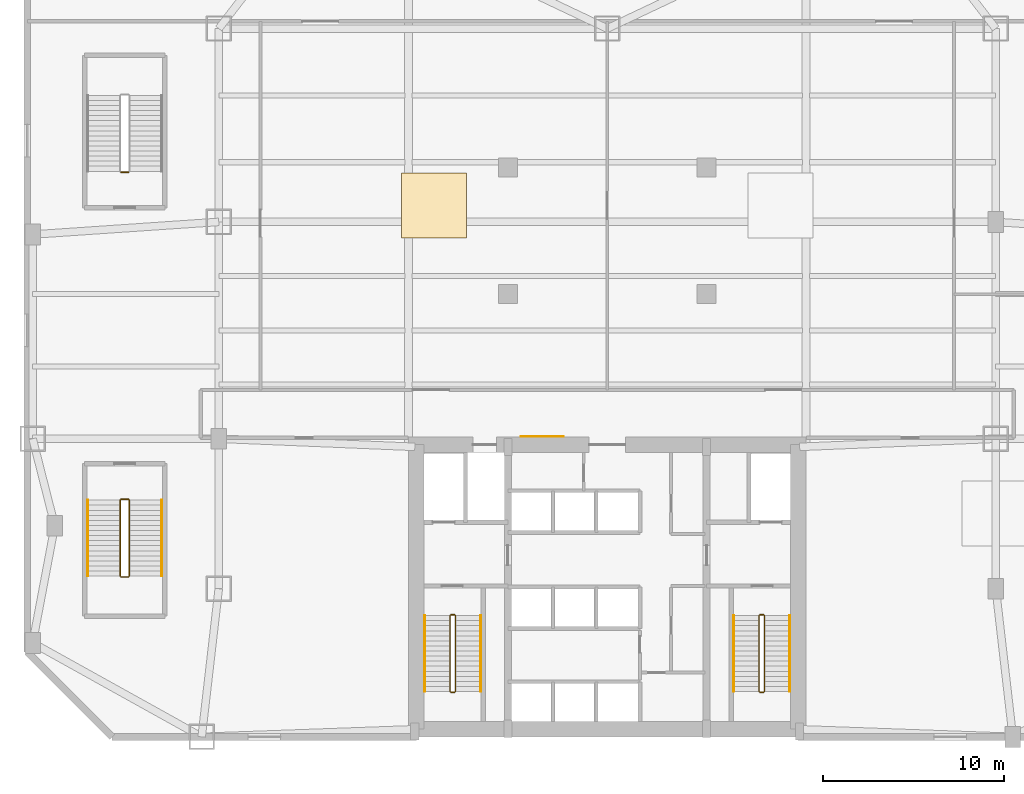
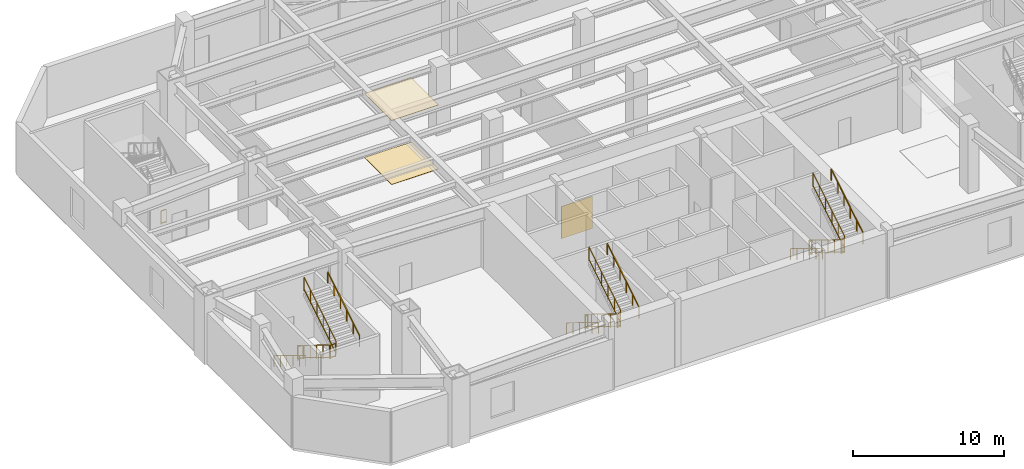
# One storey, part 7 of 9: 19 railings, 3 coverings.
"""IFC4 building model written with IfcOpenShell, lengths in metres."""

from ifc_helpers import new_model, si_unit, direction, frame, origin, origin_2d, place, context, subcontext, project, spatial, rectangle, extrude, source, transform, mapped, material, layer, layer_set, type_object, type_shapes, element, save


model = new_model("IFC4")

# Units and contexts
model_context = context("Model", 3, precision=1e-05, world=origin(), true_north=direction((0.0, 1.0)))
body_context = subcontext(model_context, "Body", "Model", "MODEL_VIEW")
ifc_project = project(units=[si_unit("LENGTHUNIT", "METRE"), si_unit("AREAUNIT", "SQUARE_METRE"), si_unit("VOLUMEUNIT", "CUBIC_METRE"), si_unit("PLANEANGLEUNIT", "RADIAN"), si_unit("MASSUNIT", "GRAM", prefix="KILO")], contexts=[model_context])

# Site, building, storey
site_placement = place(None, origin())
site = spatial("IfcSite", under=ifc_project, at=site_placement, CompositionType="ELEMENT")
building_placement = place(site_placement, origin())
building = spatial("IfcBuilding", under=site, at=building_placement, Name="Varnakhor Terracotta Tower", CompositionType="ELEMENT")
storey_placement = place(building_placement, frame((0.0, 0.0, 11.0)))
storey = spatial("IfcBuildingStorey", under=building, at=storey_placement, Name="L02", CompositionType="ELEMENT", Elevation=11.0)

# Railings
ifc_material_1 = material(Name="Painted Steel Stairwell Guardrail", Category="steel")
railing_type_1 = type_object("IfcRailingType", Name="RLG-STAIR-GUARD-1120", PredefinedType="GUARDRAIL", material=ifc_material_1)
railing_1_placement = place(storey_placement, frame((-8.699951171875, 6.7099609375, 0.171875)))
element("IfcRailing", 1, at=railing_1_placement, inside=storey, type_object=railing_type_1, Name="L02 ST-1 stair guard 1", PredefinedType="GUARDRAIL", context=body_context, shape_type="SweptSolid", body=[
    extrude(rectangle(XDim=0.048095703125, YDim=0.048095703125, at=origin_2d()), frame((0.0, 0.0, 1.09619140625), z_axis=(0.0, -0.852242915053, 0.523146264196), x_axis=(1.0, 0.0, 0.0)), (0.0, 0.0, 1.0), 4.92822265625),
    extrude(rectangle(XDim=0.048095703125, YDim=0.048095703125, at=origin_2d()), frame((0.0, 0.0, 0.10009765625), z_axis=(0.0, -0.852242915053, 0.523146264196), x_axis=(1.0, 0.0, 0.0)), (0.0, 0.0, 1.0), 4.92822265625),
    extrude(rectangle(XDim=0.0419921875, YDim=0.0419921875, at=origin_2d()), origin(), (0.0, 0.0, 1.0), 1.072021484375),
    extrude(rectangle(XDim=0.0419921875, YDim=0.0419921875, at=origin_2d()), frame((0.0, -0.840087890625, 0.515625)), (0.0, 0.0, 1.0), 1.072021484375),
    extrude(rectangle(XDim=0.0419921875, YDim=0.0419921875, at=origin_2d()), frame((0.0, -1.679931640625, 1.03125)), (0.0, 0.0, 1.0), 1.072021484375),
    extrude(rectangle(XDim=0.0419921875, YDim=0.0419921875, at=origin_2d()), frame((0.0, -2.52001953125, 1.546875)), (0.0, 0.0, 1.0), 1.072021484375),
    extrude(rectangle(XDim=0.0419921875, YDim=0.0419921875, at=origin_2d()), frame((0.0, -3.35986328125, 2.0625)), (0.0, 0.0, 1.0), 1.072021484375),
    extrude(rectangle(XDim=0.0419921875, YDim=0.0419921875, at=origin_2d()), frame((0.0, -4.199951171875, 2.578125)), (0.0, 0.0, 1.0), 1.072021484375),
])
railing_2_placement = place(storey_placement, frame((-8.64990234375, 2.4599609375, 2.75)))
element("IfcRailing", 2, at=railing_2_placement, inside=storey, type_object=railing_type_1, Name="L02 ST-1 stair guard 2", PredefinedType="GUARDRAIL", context=body_context, shape_type="SweptSolid", body=[
    extrude(rectangle(XDim=0.048095703125, YDim=0.048095703125, at=origin_2d()), frame((0.0, 0.0, 1.09619140625), z_axis=(1.0, 0.0, 0.0), x_axis=(0.0, 1.0, 0.0)), (0.0, 0.0, 1.0), 0.199951171875),
    extrude(rectangle(XDim=0.048095703125, YDim=0.048095703125, at=origin_2d()), frame((0.0, 0.0, 0.10009765625), z_axis=(1.0, 0.0, 0.0), x_axis=(0.0, 1.0, 0.0)), (0.0, 0.0, 1.0), 0.199951171875),
    extrude(rectangle(XDim=0.0419921875, YDim=0.0419921875, at=origin_2d()), origin(), (0.0, 0.0, 1.0), 1.072021484375),
    extrude(rectangle(XDim=0.0419921875, YDim=0.0419921875, at=origin_2d()), frame((0.199951171875, 0.0, 0.0)), (0.0, 0.0, 1.0), 1.072021484375),
])
railing_3_placement = place(storey_placement, frame((-8.39990234375, 2.510009765625, 2.921875)))
element("IfcRailing", 3, at=railing_3_placement, inside=storey, type_object=railing_type_1, Name="L02 ST-1 stair guard 3", PredefinedType="GUARDRAIL", context=body_context, shape_type="SweptSolid", body=[
    extrude(rectangle(XDim=0.048095703125, YDim=0.048095703125, at=origin_2d()), frame((0.0, 0.0, 1.09619140625), z_axis=(0.0, 0.852242915053, 0.523146264196), x_axis=(-1.0, 0.0, 0.0)), (0.0, 0.0, 1.0), 4.92822265625),
    extrude(rectangle(XDim=0.048095703125, YDim=0.048095703125, at=origin_2d()), frame((0.0, 0.0, 0.10009765625), z_axis=(0.0, 0.852242915053, 0.523146264196), x_axis=(-1.0, 0.0, 0.0)), (0.0, 0.0, 1.0), 4.92822265625),
    extrude(rectangle(XDim=0.0419921875, YDim=0.0419921875, at=origin_2d()), origin(), (0.0, 0.0, 1.0), 1.072021484375),
    extrude(rectangle(XDim=0.0419921875, YDim=0.0419921875, at=origin_2d()), frame((0.0, 0.840087890625, 0.515625)), (0.0, 0.0, 1.0), 1.072021484375),
    extrude(rectangle(XDim=0.0419921875, YDim=0.0419921875, at=origin_2d()), frame((0.0, 1.679931640625, 1.03125)), (0.0, 0.0, 1.0), 1.072021484375),
    extrude(rectangle(XDim=0.0419921875, YDim=0.0419921875, at=origin_2d()), frame((0.0, 2.52001953125, 1.546875)), (0.0, 0.0, 1.0), 1.072021484375),
    extrude(rectangle(XDim=0.0419921875, YDim=0.0419921875, at=origin_2d()), frame((0.0, 3.35986328125, 2.0625)), (0.0, 0.0, 1.0), 1.072021484375),
    extrude(rectangle(XDim=0.0419921875, YDim=0.0419921875, at=origin_2d()), frame((0.0, 4.199951171875, 2.578125)), (0.0, 0.0, 1.0), 1.072021484375),
])
railing_4_placement = place(storey_placement, frame((-8.64990234375, 6.760009765625, 0.0)))
element("IfcRailing", 4, at=railing_4_placement, inside=storey, type_object=railing_type_1, Name="L02 ST-1 stair guard 4", PredefinedType="GUARDRAIL", context=body_context, shape_type="SweptSolid", body=[
    extrude(rectangle(XDim=0.048095703125, YDim=0.048095703125, at=origin_2d()), frame((0.0, 0.0, 1.09619140625), z_axis=(1.0, 0.0, 0.0), x_axis=(0.0, 1.0, 0.0)), (0.0, 0.0, 1.0), 0.199951171875),
    extrude(rectangle(XDim=0.048095703125, YDim=0.048095703125, at=origin_2d()), frame((0.0, 0.0, 0.10009765625), z_axis=(1.0, 0.0, 0.0), x_axis=(0.0, 1.0, 0.0)), (0.0, 0.0, 1.0), 0.199951171875),
    extrude(rectangle(XDim=0.0419921875, YDim=0.0419921875, at=origin_2d()), origin(), (0.0, 0.0, 1.0), 1.072021484375),
    extrude(rectangle(XDim=0.0419921875, YDim=0.0419921875, at=origin_2d()), frame((0.199951171875, 0.0, 0.0)), (0.0, 0.0, 1.0), 1.072021484375),
])
railing_5_placement = place(storey_placement, frame((8.39990234375, 6.7099609375, 0.171875)))
element("IfcRailing", 5, at=railing_5_placement, inside=storey, type_object=railing_type_1, Name="L02 ST-2 stair guard 1", PredefinedType="GUARDRAIL", context=body_context, shape_type="SweptSolid", body=[
    extrude(rectangle(XDim=0.048095703125, YDim=0.048095703125, at=origin_2d()), frame((0.0, 0.0, 1.09619140625), z_axis=(0.0, -0.852242915053, 0.523146264196), x_axis=(1.0, 0.0, 0.0)), (0.0, 0.0, 1.0), 4.92822265625),
    extrude(rectangle(XDim=0.048095703125, YDim=0.048095703125, at=origin_2d()), frame((0.0, 0.0, 0.10009765625), z_axis=(0.0, -0.852242915053, 0.523146264196), x_axis=(1.0, 0.0, 0.0)), (0.0, 0.0, 1.0), 4.92822265625),
    extrude(rectangle(XDim=0.0419921875, YDim=0.0419921875, at=origin_2d()), origin(), (0.0, 0.0, 1.0), 1.072021484375),
    extrude(rectangle(XDim=0.0419921875, YDim=0.0419921875, at=origin_2d()), frame((0.0, -0.840087890625, 0.515625)), (0.0, 0.0, 1.0), 1.072021484375),
    extrude(rectangle(XDim=0.0419921875, YDim=0.0419921875, at=origin_2d()), frame((0.0, -1.679931640625, 1.03125)), (0.0, 0.0, 1.0), 1.072021484375),
    extrude(rectangle(XDim=0.0419921875, YDim=0.0419921875, at=origin_2d()), frame((0.0, -2.52001953125, 1.546875)), (0.0, 0.0, 1.0), 1.072021484375),
    extrude(rectangle(XDim=0.0419921875, YDim=0.0419921875, at=origin_2d()), frame((0.0, -3.35986328125, 2.0625)), (0.0, 0.0, 1.0), 1.072021484375),
    extrude(rectangle(XDim=0.0419921875, YDim=0.0419921875, at=origin_2d()), frame((0.0, -4.199951171875, 2.578125)), (0.0, 0.0, 1.0), 1.072021484375),
])
railing_6_placement = place(storey_placement, frame((8.449951171875, 2.4599609375, 2.75)))
element("IfcRailing", 6, at=railing_6_placement, inside=storey, type_object=railing_type_1, Name="L02 ST-2 stair guard 2", PredefinedType="GUARDRAIL", context=body_context, shape_type="SweptSolid", body=[
    extrude(rectangle(XDim=0.048095703125, YDim=0.048095703125, at=origin_2d()), frame((0.0, 0.0, 1.09619140625), z_axis=(1.0, 0.0, 0.0), x_axis=(0.0, 1.0, 0.0)), (0.0, 0.0, 1.0), 0.199951171875),
    extrude(rectangle(XDim=0.048095703125, YDim=0.048095703125, at=origin_2d()), frame((0.0, 0.0, 0.10009765625), z_axis=(1.0, 0.0, 0.0), x_axis=(0.0, 1.0, 0.0)), (0.0, 0.0, 1.0), 0.199951171875),
    extrude(rectangle(XDim=0.0419921875, YDim=0.0419921875, at=origin_2d()), origin(), (0.0, 0.0, 1.0), 1.072021484375),
    extrude(rectangle(XDim=0.0419921875, YDim=0.0419921875, at=origin_2d()), frame((0.199951171875, 0.0, 0.0)), (0.0, 0.0, 1.0), 1.072021484375),
])
railing_7_placement = place(storey_placement, frame((8.699951171875, 2.510009765625, 2.921875)))
element("IfcRailing", 7, at=railing_7_placement, inside=storey, type_object=railing_type_1, Name="L02 ST-2 stair guard 3", PredefinedType="GUARDRAIL", context=body_context, shape_type="SweptSolid", body=[
    extrude(rectangle(XDim=0.048095703125, YDim=0.048095703125, at=origin_2d()), frame((0.0, 0.0, 1.09619140625), z_axis=(0.0, 0.852242915053, 0.523146264196), x_axis=(-1.0, 0.0, 0.0)), (0.0, 0.0, 1.0), 4.92822265625),
    extrude(rectangle(XDim=0.048095703125, YDim=0.048095703125, at=origin_2d()), frame((0.0, 0.0, 0.10009765625), z_axis=(0.0, 0.852242915053, 0.523146264196), x_axis=(-1.0, 0.0, 0.0)), (0.0, 0.0, 1.0), 4.92822265625),
    extrude(rectangle(XDim=0.0419921875, YDim=0.0419921875, at=origin_2d()), origin(), (0.0, 0.0, 1.0), 1.072021484375),
    extrude(rectangle(XDim=0.0419921875, YDim=0.0419921875, at=origin_2d()), frame((0.0, 0.840087890625, 0.515625)), (0.0, 0.0, 1.0), 1.072021484375),
    extrude(rectangle(XDim=0.0419921875, YDim=0.0419921875, at=origin_2d()), frame((0.0, 1.679931640625, 1.03125)), (0.0, 0.0, 1.0), 1.072021484375),
    extrude(rectangle(XDim=0.0419921875, YDim=0.0419921875, at=origin_2d()), frame((0.0, 2.52001953125, 1.546875)), (0.0, 0.0, 1.0), 1.072021484375),
    extrude(rectangle(XDim=0.0419921875, YDim=0.0419921875, at=origin_2d()), frame((0.0, 3.35986328125, 2.0625)), (0.0, 0.0, 1.0), 1.072021484375),
    extrude(rectangle(XDim=0.0419921875, YDim=0.0419921875, at=origin_2d()), frame((0.0, 4.199951171875, 2.578125)), (0.0, 0.0, 1.0), 1.072021484375),
])
railing_8_placement = place(storey_placement, frame((8.449951171875, 6.760009765625, 0.0)))
element("IfcRailing", 8, at=railing_8_placement, inside=storey, type_object=railing_type_1, Name="L02 ST-2 stair guard 4", PredefinedType="GUARDRAIL", context=body_context, shape_type="SweptSolid", body=[
    extrude(rectangle(XDim=0.048095703125, YDim=0.048095703125, at=origin_2d()), frame((0.0, 0.0, 1.09619140625), z_axis=(1.0, 0.0, 0.0), x_axis=(0.0, 1.0, 0.0)), (0.0, 0.0, 1.0), 0.199951171875),
    extrude(rectangle(XDim=0.048095703125, YDim=0.048095703125, at=origin_2d()), frame((0.0, 0.0, 0.10009765625), z_axis=(1.0, 0.0, 0.0), x_axis=(0.0, 1.0, 0.0)), (0.0, 0.0, 1.0), 0.199951171875),
    extrude(rectangle(XDim=0.0419921875, YDim=0.0419921875, at=origin_2d()), origin(), (0.0, 0.0, 1.0), 1.072021484375),
    extrude(rectangle(XDim=0.0419921875, YDim=0.0419921875, at=origin_2d()), frame((0.199951171875, 0.0, 0.0)), (0.0, 0.0, 1.0), 1.072021484375),
])
railing_9_placement = place(storey_placement, frame((-26.949951171875, 13.10009765625, 0.171875)))
element("IfcRailing", 9, at=railing_9_placement, inside=storey, type_object=railing_type_1, Name="L02 ST-P1 stair guard 1", PredefinedType="GUARDRAIL", context=body_context, shape_type="SweptSolid", body=[
    extrude(rectangle(XDim=0.048095703125, YDim=0.048095703125, at=origin_2d()), frame((0.0, 0.0, 1.09619140625), z_axis=(0.0, -0.852256472501, 0.523124177495), x_axis=(1.0, 0.0, 0.0)), (0.0, 0.0, 1.0), 4.92822265625),
    extrude(rectangle(XDim=0.048095703125, YDim=0.048095703125, at=origin_2d()), frame((0.0, 0.0, 0.10009765625), z_axis=(0.0, -0.852256472501, 0.523124177495), x_axis=(1.0, 0.0, 0.0)), (0.0, 0.0, 1.0), 4.92822265625),
    extrude(rectangle(XDim=0.0419921875, YDim=0.0419921875, at=origin_2d()), origin(), (0.0, 0.0, 1.0), 1.072021484375),
    extrude(rectangle(XDim=0.0419921875, YDim=0.0419921875, at=origin_2d()), frame((0.0, -0.840087890625, 0.515625)), (0.0, 0.0, 1.0), 1.072021484375),
    extrude(rectangle(XDim=0.0419921875, YDim=0.0419921875, at=origin_2d()), frame((0.0, -1.68017578125, 1.03125)), (0.0, 0.0, 1.0), 1.072021484375),
    extrude(rectangle(XDim=0.0419921875, YDim=0.0419921875, at=origin_2d()), frame((0.0, -2.52001953125, 1.546875)), (0.0, 0.0, 1.0), 1.072021484375),
    extrude(rectangle(XDim=0.0419921875, YDim=0.0419921875, at=origin_2d()), frame((0.0, -3.360107421875, 2.0625)), (0.0, 0.0, 1.0), 1.072021484375),
    extrude(rectangle(XDim=0.0419921875, YDim=0.0419921875, at=origin_2d()), frame((0.0, -4.2001953125, 2.578125)), (0.0, 0.0, 1.0), 1.072021484375),
])
railing_10_placement = place(storey_placement, frame((-26.89990234375, 8.85009765625, 2.75)))
element("IfcRailing", 10, at=railing_10_placement, inside=storey, type_object=railing_type_1, Name="L02 ST-P1 stair guard 2", PredefinedType="GUARDRAIL", context=body_context, shape_type="SweptSolid", body=[
    extrude(rectangle(XDim=0.048095703125, YDim=0.048095703125, at=origin_2d()), frame((0.0, 0.0, 1.09619140625), z_axis=(1.0, 0.0, 0.0), x_axis=(0.0, 1.0, 0.0)), (0.0, 0.0, 1.0), 0.39990234375),
    extrude(rectangle(XDim=0.048095703125, YDim=0.048095703125, at=origin_2d()), frame((0.0, 0.0, 0.10009765625), z_axis=(1.0, 0.0, 0.0), x_axis=(0.0, 1.0, 0.0)), (0.0, 0.0, 1.0), 0.39990234375),
    extrude(rectangle(XDim=0.0419921875, YDim=0.0419921875, at=origin_2d()), origin(), (0.0, 0.0, 1.0), 1.072021484375),
    extrude(rectangle(XDim=0.0419921875, YDim=0.0419921875, at=origin_2d()), frame((0.39990234375, 0.0, 0.0)), (0.0, 0.0, 1.0), 1.072021484375),
])
railing_11_placement = place(storey_placement, frame((-26.449951171875, 8.89990234375, 2.921875)))
element("IfcRailing", 11, at=railing_11_placement, inside=storey, type_object=railing_type_1, Name="L02 ST-P1 stair guard 3", PredefinedType="GUARDRAIL", context=body_context, shape_type="SweptSolid", body=[
    extrude(rectangle(XDim=0.048095703125, YDim=0.048095703125, at=origin_2d()), frame((0.0, 0.0, 1.09619140625), z_axis=(0.0, 0.852256472501, 0.523124177495), x_axis=(-1.0, 0.0, 0.0)), (0.0, 0.0, 1.0), 4.92822265625),
    extrude(rectangle(XDim=0.048095703125, YDim=0.048095703125, at=origin_2d()), frame((0.0, 0.0, 0.10009765625), z_axis=(0.0, 0.852256472501, 0.523124177495), x_axis=(-1.0, 0.0, 0.0)), (0.0, 0.0, 1.0), 4.92822265625),
    extrude(rectangle(XDim=0.0419921875, YDim=0.0419921875, at=origin_2d()), origin(), (0.0, 0.0, 1.0), 1.072021484375),
    extrude(rectangle(XDim=0.0419921875, YDim=0.0419921875, at=origin_2d()), frame((0.0, 0.840087890625, 0.515625)), (0.0, 0.0, 1.0), 1.072021484375),
    extrude(rectangle(XDim=0.0419921875, YDim=0.0419921875, at=origin_2d()), frame((0.0, 1.68017578125, 1.03125)), (0.0, 0.0, 1.0), 1.072021484375),
    extrude(rectangle(XDim=0.0419921875, YDim=0.0419921875, at=origin_2d()), frame((0.0, 2.52001953125, 1.546875)), (0.0, 0.0, 1.0), 1.072021484375),
    extrude(rectangle(XDim=0.0419921875, YDim=0.0419921875, at=origin_2d()), frame((0.0, 3.360107421875, 2.0625)), (0.0, 0.0, 1.0), 1.072021484375),
    extrude(rectangle(XDim=0.0419921875, YDim=0.0419921875, at=origin_2d()), frame((0.0, 4.2001953125, 2.578125)), (0.0, 0.0, 1.0), 1.072021484375),
])
railing_12_placement = place(storey_placement, frame((-26.89990234375, 13.14990234375, 0.0)))
element("IfcRailing", 12, at=railing_12_placement, inside=storey, type_object=railing_type_1, Name="L02 ST-P1 stair guard 4", PredefinedType="GUARDRAIL", context=body_context, shape_type="SweptSolid", body=[
    extrude(rectangle(XDim=0.048095703125, YDim=0.048095703125, at=origin_2d()), frame((0.0, 0.0, 1.09619140625), z_axis=(1.0, 0.0, 0.0), x_axis=(0.0, 1.0, 0.0)), (0.0, 0.0, 1.0), 0.39990234375),
    extrude(rectangle(XDim=0.048095703125, YDim=0.048095703125, at=origin_2d()), frame((0.0, 0.0, 0.10009765625), z_axis=(1.0, 0.0, 0.0), x_axis=(0.0, 1.0, 0.0)), (0.0, 0.0, 1.0), 0.39990234375),
    extrude(rectangle(XDim=0.0419921875, YDim=0.0419921875, at=origin_2d()), origin(), (0.0, 0.0, 1.0), 1.072021484375),
    extrude(rectangle(XDim=0.0419921875, YDim=0.0419921875, at=origin_2d()), frame((0.39990234375, 0.0, 0.0)), (0.0, 0.0, 1.0), 1.072021484375),
])
railing_13_placement = place(storey_placement, frame((-26.5, 31.25, 0.0)))
element("IfcRailing", 13, at=railing_13_placement, inside=storey, type_object=railing_type_1, Name="L02 ST-P3 stair guard 4", PredefinedType="GUARDRAIL", context=body_context, shape_type="SweptSolid", body=[
    extrude(rectangle(XDim=0.048095703125, YDim=0.048095703125, at=origin_2d()), frame((0.0, 0.0, 1.09619140625), z_axis=(-1.0, 0.0, 0.0), x_axis=(0.0, -1.0, 0.0)), (0.0, 0.0, 1.0), 0.39990234375),
    extrude(rectangle(XDim=0.048095703125, YDim=0.048095703125, at=origin_2d()), frame((0.0, 0.0, 0.10009765625), z_axis=(-1.0, 0.0, 0.0), x_axis=(0.0, -1.0, 0.0)), (0.0, 0.0, 1.0), 0.39990234375),
    extrude(rectangle(XDim=0.0419921875, YDim=0.0419921875, at=origin_2d()), origin(), (0.0, 0.0, 1.0), 1.072021484375),
    extrude(rectangle(XDim=0.0419921875, YDim=0.0419921875, at=origin_2d()), frame((-0.39990234375, 0.0, 0.0)), (0.0, 0.0, 1.0), 1.072021484375),
])
ifc_material_2 = material(Name="Brushed Stainless Steel Handrail", Category="steel")
railing_type_2 = type_object("IfcRailingType", Name="RLG-STAIR-HANDRAIL-920", PredefinedType="HANDRAIL", material=ifc_material_2)
railing_14_placement = place(storey_placement, frame((-10.10009765625, 6.7099609375, 0.171875)))
element("IfcRailing", 14, at=railing_14_placement, inside=storey, type_object=railing_type_2, Name="L02 ST-1 stair handrail 1", PredefinedType="HANDRAIL", context=body_context, shape_type="SweptSolid", body=[
    extrude(rectangle(XDim=0.048095703125, YDim=0.048095703125, at=origin_2d()), frame((0.0, 0.0, 0.89599609375), z_axis=(0.0, -0.852242915053, 0.523146264196), x_axis=(1.0, 0.0, 0.0)), (0.0, 0.0, 1.0), 4.92822265625),
    extrude(rectangle(XDim=0.0419921875, YDim=0.0419921875, at=origin_2d()), origin(), (0.0, 0.0, 1.0), 0.871826171875),
    extrude(rectangle(XDim=0.0419921875, YDim=0.0419921875, at=origin_2d()), frame((0.0, -0.840087890625, 0.515625)), (0.0, 0.0, 1.0), 0.871826171875),
    extrude(rectangle(XDim=0.0419921875, YDim=0.0419921875, at=origin_2d()), frame((0.0, -1.679931640625, 1.03125)), (0.0, 0.0, 1.0), 0.871826171875),
    extrude(rectangle(XDim=0.0419921875, YDim=0.0419921875, at=origin_2d()), frame((0.0, -2.52001953125, 1.546875)), (0.0, 0.0, 1.0), 0.871826171875),
    extrude(rectangle(XDim=0.0419921875, YDim=0.0419921875, at=origin_2d()), frame((0.0, -3.35986328125, 2.0625)), (0.0, 0.0, 1.0), 0.871826171875),
    extrude(rectangle(XDim=0.0419921875, YDim=0.0419921875, at=origin_2d()), frame((0.0, -4.199951171875, 2.578125)), (0.0, 0.0, 1.0), 0.871826171875),
])
railing_15_placement = place(storey_placement, frame((-7.0, 2.510009765625, 2.921875)))
element("IfcRailing", 15, at=railing_15_placement, inside=storey, type_object=railing_type_2, Name="L02 ST-1 stair handrail 2", PredefinedType="HANDRAIL", context=body_context, shape_type="SweptSolid", body=[
    extrude(rectangle(XDim=0.048095703125, YDim=0.048095703125, at=origin_2d()), frame((0.0, 0.0, 0.89599609375), z_axis=(0.0, 0.852242915053, 0.523146264196), x_axis=(-1.0, 0.0, 0.0)), (0.0, 0.0, 1.0), 4.92822265625),
    extrude(rectangle(XDim=0.0419921875, YDim=0.0419921875, at=origin_2d()), origin(), (0.0, 0.0, 1.0), 0.871826171875),
    extrude(rectangle(XDim=0.0419921875, YDim=0.0419921875, at=origin_2d()), frame((0.0, 0.840087890625, 0.515625)), (0.0, 0.0, 1.0), 0.871826171875),
    extrude(rectangle(XDim=0.0419921875, YDim=0.0419921875, at=origin_2d()), frame((0.0, 1.679931640625, 1.03125)), (0.0, 0.0, 1.0), 0.871826171875),
    extrude(rectangle(XDim=0.0419921875, YDim=0.0419921875, at=origin_2d()), frame((0.0, 2.52001953125, 1.546875)), (0.0, 0.0, 1.0), 0.871826171875),
    extrude(rectangle(XDim=0.0419921875, YDim=0.0419921875, at=origin_2d()), frame((0.0, 3.35986328125, 2.0625)), (0.0, 0.0, 1.0), 0.871826171875),
    extrude(rectangle(XDim=0.0419921875, YDim=0.0419921875, at=origin_2d()), frame((0.0, 4.199951171875, 2.578125)), (0.0, 0.0, 1.0), 0.871826171875),
])
railing_16_placement = place(storey_placement, frame((7.0, 6.7099609375, 0.171875)))
element("IfcRailing", 16, at=railing_16_placement, inside=storey, type_object=railing_type_2, Name="L02 ST-2 stair handrail 1", PredefinedType="HANDRAIL", context=body_context, shape_type="SweptSolid", body=[
    extrude(rectangle(XDim=0.048095703125, YDim=0.048095703125, at=origin_2d()), frame((0.0, 0.0, 0.89599609375), z_axis=(0.0, -0.852242915053, 0.523146264196), x_axis=(1.0, 0.0, 0.0)), (0.0, 0.0, 1.0), 4.92822265625),
    extrude(rectangle(XDim=0.0419921875, YDim=0.0419921875, at=origin_2d()), origin(), (0.0, 0.0, 1.0), 0.871826171875),
    extrude(rectangle(XDim=0.0419921875, YDim=0.0419921875, at=origin_2d()), frame((0.0, -0.840087890625, 0.515625)), (0.0, 0.0, 1.0), 0.871826171875),
    extrude(rectangle(XDim=0.0419921875, YDim=0.0419921875, at=origin_2d()), frame((0.0, -1.679931640625, 1.03125)), (0.0, 0.0, 1.0), 0.871826171875),
    extrude(rectangle(XDim=0.0419921875, YDim=0.0419921875, at=origin_2d()), frame((0.0, -2.52001953125, 1.546875)), (0.0, 0.0, 1.0), 0.871826171875),
    extrude(rectangle(XDim=0.0419921875, YDim=0.0419921875, at=origin_2d()), frame((0.0, -3.35986328125, 2.0625)), (0.0, 0.0, 1.0), 0.871826171875),
    extrude(rectangle(XDim=0.0419921875, YDim=0.0419921875, at=origin_2d()), frame((0.0, -4.199951171875, 2.578125)), (0.0, 0.0, 1.0), 0.871826171875),
])
railing_17_placement = place(storey_placement, frame((10.10009765625, 2.510009765625, 2.921875)))
element("IfcRailing", 17, at=railing_17_placement, inside=storey, type_object=railing_type_2, Name="L02 ST-2 stair handrail 2", PredefinedType="HANDRAIL", context=body_context, shape_type="SweptSolid", body=[
    extrude(rectangle(XDim=0.048095703125, YDim=0.048095703125, at=origin_2d()), frame((0.0, 0.0, 0.89599609375), z_axis=(0.0, 0.852242915053, 0.523146264196), x_axis=(-1.0, 0.0, 0.0)), (0.0, 0.0, 1.0), 4.92822265625),
    extrude(rectangle(XDim=0.0419921875, YDim=0.0419921875, at=origin_2d()), origin(), (0.0, 0.0, 1.0), 0.871826171875),
    extrude(rectangle(XDim=0.0419921875, YDim=0.0419921875, at=origin_2d()), frame((0.0, 0.840087890625, 0.515625)), (0.0, 0.0, 1.0), 0.871826171875),
    extrude(rectangle(XDim=0.0419921875, YDim=0.0419921875, at=origin_2d()), frame((0.0, 1.679931640625, 1.03125)), (0.0, 0.0, 1.0), 0.871826171875),
    extrude(rectangle(XDim=0.0419921875, YDim=0.0419921875, at=origin_2d()), frame((0.0, 2.52001953125, 1.546875)), (0.0, 0.0, 1.0), 0.871826171875),
    extrude(rectangle(XDim=0.0419921875, YDim=0.0419921875, at=origin_2d()), frame((0.0, 3.35986328125, 2.0625)), (0.0, 0.0, 1.0), 0.871826171875),
    extrude(rectangle(XDim=0.0419921875, YDim=0.0419921875, at=origin_2d()), frame((0.0, 4.199951171875, 2.578125)), (0.0, 0.0, 1.0), 0.871826171875),
])
railing_18_placement = place(storey_placement, frame((-28.75, 13.10009765625, 0.171875)))
element("IfcRailing", 18, at=railing_18_placement, inside=storey, type_object=railing_type_2, Name="L02 ST-P1 stair handrail 1", PredefinedType="HANDRAIL", context=body_context, shape_type="SweptSolid", body=[
    extrude(rectangle(XDim=0.048095703125, YDim=0.048095703125, at=origin_2d()), frame((0.0, 0.0, 0.89599609375), z_axis=(0.0, -0.852256472501, 0.523124177495), x_axis=(1.0, 0.0, 0.0)), (0.0, 0.0, 1.0), 4.92822265625),
    extrude(rectangle(XDim=0.0419921875, YDim=0.0419921875, at=origin_2d()), origin(), (0.0, 0.0, 1.0), 0.871826171875),
    extrude(rectangle(XDim=0.0419921875, YDim=0.0419921875, at=origin_2d()), frame((0.0, -0.840087890625, 0.515625)), (0.0, 0.0, 1.0), 0.871826171875),
    extrude(rectangle(XDim=0.0419921875, YDim=0.0419921875, at=origin_2d()), frame((0.0, -1.68017578125, 1.03125)), (0.0, 0.0, 1.0), 0.871826171875),
    extrude(rectangle(XDim=0.0419921875, YDim=0.0419921875, at=origin_2d()), frame((0.0, -2.52001953125, 1.546875)), (0.0, 0.0, 1.0), 0.871826171875),
    extrude(rectangle(XDim=0.0419921875, YDim=0.0419921875, at=origin_2d()), frame((0.0, -3.360107421875, 2.0625)), (0.0, 0.0, 1.0), 0.871826171875),
    extrude(rectangle(XDim=0.0419921875, YDim=0.0419921875, at=origin_2d()), frame((0.0, -4.2001953125, 2.578125)), (0.0, 0.0, 1.0), 0.871826171875),
])
railing_19_placement = place(storey_placement, frame((-24.64990234375, 8.89990234375, 2.921875)))
element("IfcRailing", 19, at=railing_19_placement, inside=storey, type_object=railing_type_2, Name="L02 ST-P1 stair handrail 2", PredefinedType="HANDRAIL", context=body_context, shape_type="SweptSolid", body=[
    extrude(rectangle(XDim=0.048095703125, YDim=0.048095703125, at=origin_2d()), frame((0.0, 0.0, 0.89599609375), z_axis=(0.0, 0.852256472501, 0.523124177495), x_axis=(-1.0, 0.0, 0.0)), (0.0, 0.0, 1.0), 4.92822265625),
    extrude(rectangle(XDim=0.0419921875, YDim=0.0419921875, at=origin_2d()), origin(), (0.0, 0.0, 1.0), 0.871826171875),
    extrude(rectangle(XDim=0.0419921875, YDim=0.0419921875, at=origin_2d()), frame((0.0, 0.840087890625, 0.515625)), (0.0, 0.0, 1.0), 0.871826171875),
    extrude(rectangle(XDim=0.0419921875, YDim=0.0419921875, at=origin_2d()), frame((0.0, 1.68017578125, 1.03125)), (0.0, 0.0, 1.0), 0.871826171875),
    extrude(rectangle(XDim=0.0419921875, YDim=0.0419921875, at=origin_2d()), frame((0.0, 2.52001953125, 1.546875)), (0.0, 0.0, 1.0), 0.871826171875),
    extrude(rectangle(XDim=0.0419921875, YDim=0.0419921875, at=origin_2d()), frame((0.0, 3.360107421875, 2.0625)), (0.0, 0.0, 1.0), 0.871826171875),
    extrude(rectangle(XDim=0.0419921875, YDim=0.0419921875, at=origin_2d()), frame((0.0, 4.2001953125, 2.578125)), (0.0, 0.0, 1.0), 0.871826171875),
])

# Coverings
ifc_material_3 = material(Name="Extruded Architectural Terracotta Cladding", Category="masonry")
ifc_layer_1 = layer(ifc_material_3, 0.044921875, Name="Extruded Architectural Terracotta Cladding")
ifc_layer_set_1 = layer_set([ifc_layer_1], Name="Extruded Architectural Terracotta Cladding")
covering_type_1 = type_object("IfcCoveringType", Name="COV-CLAD-TERRACOTTA", PredefinedType="CLADDING", material=ifc_layer_set_1)
shared_shape_1 = source(origin(), body_context, "Body", "SweptSolid", [
    extrude(rectangle(XDim=2.39990234375, YDim=0.030029296875, at=origin_2d()), origin(), (0.0, 0.0, 1.0), 2.60009765625),
])
type_shapes(covering_type_1, [shared_shape_1])
covering_1_placement = place(storey_placement, frame((-3.60009765625, 16.612060546875, 0.0), z_axis=(0.0, 0.0, 1.0), x_axis=(1.0, 0.0, 0.0)))
element("IfcCovering", 20, at=covering_1_placement, inside=storey, type_object=covering_type_1, Name="L02 Core Lobby Limestone Cladding", PredefinedType="CLADDING", context=body_context, shape_type="MappedRepresentation", body=[
    mapped(shared_shape_1, transform((0.0, 0.0, 0.0), scale=1.0)),
])
ifc_material_4 = material(Name="Honed Riyadh Limestone Flooring", Category="masonry")
ifc_layer_2 = layer(ifc_material_4, 0.030029296875, Name="Honed Riyadh Limestone Flooring")
ifc_layer_set_2 = layer_set([ifc_layer_2], Name="Honed Riyadh Limestone Flooring")
covering_type_2 = type_object("IfcCoveringType", Name="COV-FLOOR-LIMESTONE", PredefinedType="FLOORING", material=ifc_layer_set_2)
shared_shape_2 = source(origin(), body_context, "Body", "SweptSolid", [
    extrude(rectangle(XDim=3.60009765625, YDim=3.60009765625, at=origin_2d()), origin(), (0.0, 0.0, 1.0), 0.02001953125),
])
covering_2_placement = place(storey_placement, frame((-9.597900390625, 29.39990234375, 0.0), z_axis=(0.0, 0.0, 1.0), x_axis=(1.0, 0.0, 0.0)))
element("IfcCovering", 21, at=covering_2_placement, inside=storey, type_object=covering_type_2, Name="L02 Honed Stone Flooring 2", PredefinedType="FLOORING", context=body_context, shape_type="MappedRepresentation", body=[
    mapped(shared_shape_2, transform((0.0, 0.0, 0.0), scale=1.0)),
])
ifc_material_5 = material(Name="Perforated Acoustic Mineral-Fibre Ceiling", Category="gypsum")
ifc_layer_3 = layer(ifc_material_5, 0.02490234375, Name="Perforated Acoustic Mineral-Fibre Ceiling")
ifc_layer_set_3 = layer_set([ifc_layer_3], Name="Perforated Acoustic Mineral-Fibre Ceiling")
covering_type_3 = type_object("IfcCoveringType", Name="COV-CEILING-ACOUSTIC", PredefinedType="CEILING", material=ifc_layer_set_3)
shared_shape_3 = source(origin(), body_context, "Body", "SweptSolid", [
    extrude(rectangle(XDim=3.60009765625, YDim=3.60009765625, at=origin_2d()), origin(), (0.0, 0.0, 1.0), 0.02392578125),
])
covering_3_placement = place(storey_placement, frame((-9.597900390625, 29.39990234375, 5.1611328125), z_axis=(0.0, 0.0, 1.0), x_axis=(1.0, 0.0, 0.0)))
element("IfcCovering", 22, at=covering_3_placement, inside=storey, type_object=covering_type_3, Name="L02 Acoustic Ceiling Panel 2", PredefinedType="CEILING", context=body_context, shape_type="MappedRepresentation", body=[
    mapped(shared_shape_3, transform((0.0, 0.0, 0.0), scale=1.0)),
])

save(model, "model.ifc")
